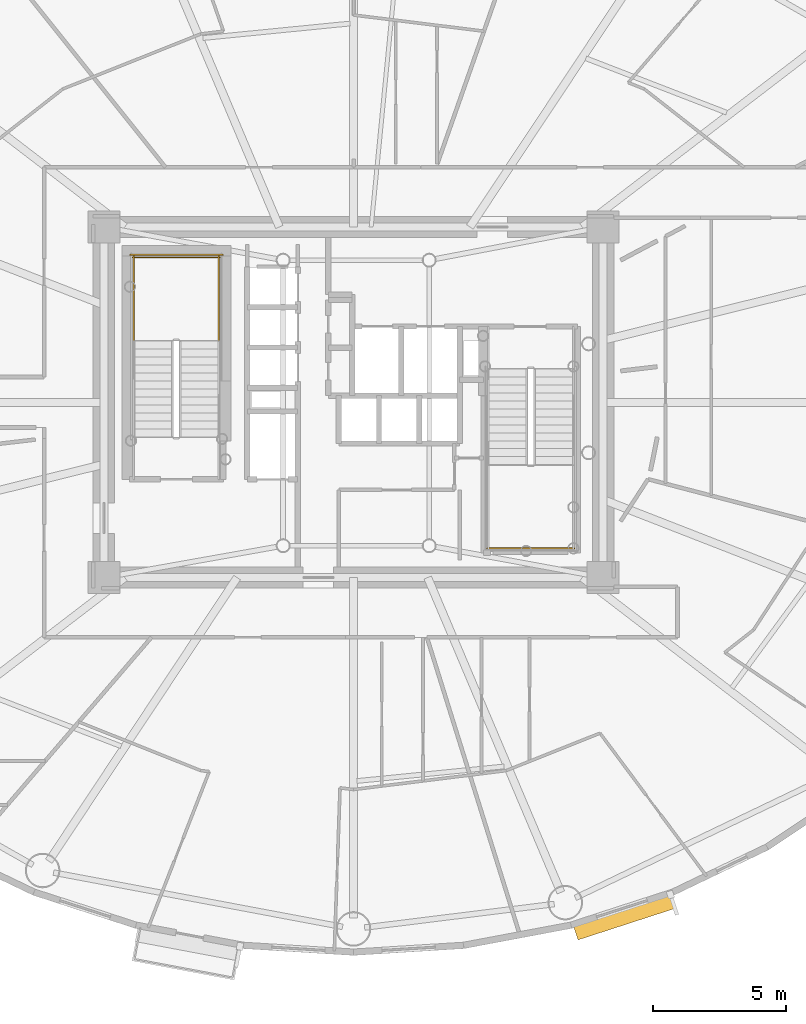
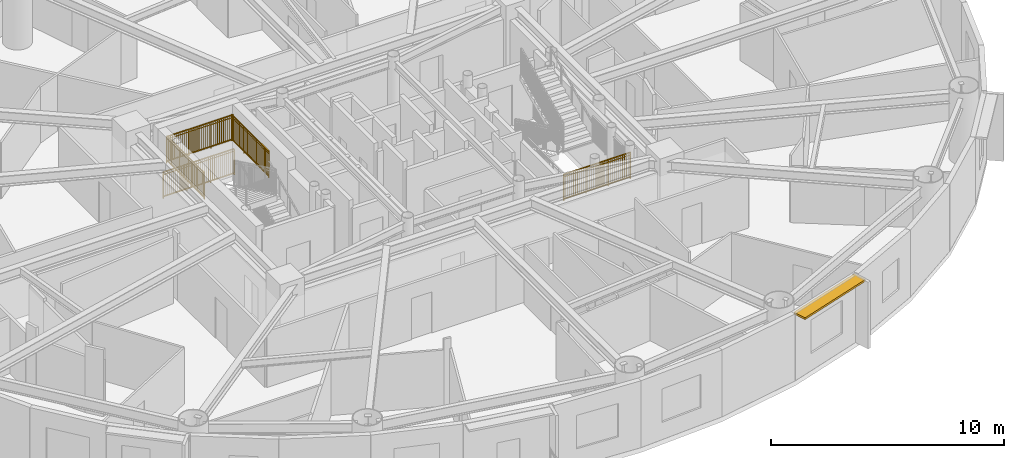
# One storey, part 15 of 17: 5 railings, 1 shading device.
"""IFC4 building model written with IfcOpenShell, lengths in metres."""

from ifc_helpers import new_model, si_unit, direction, frame, origin, origin_2d, place, context, subcontext, project, spatial, rectangle, extrude, source, transform, mapped, material, layer, layer_set, type_object, element, save


model = new_model("IFC4")

# Units and contexts
model_context = context("Model", 3, precision=1e-05, world=origin(), true_north=direction((0.0, 1.0)))
body_context = subcontext(model_context, "Body", "Model", "MODEL_VIEW")
ifc_project = project(units=[si_unit("LENGTHUNIT", "METRE"), si_unit("AREAUNIT", "SQUARE_METRE"), si_unit("VOLUMEUNIT", "CUBIC_METRE"), si_unit("PLANEANGLEUNIT", "RADIAN"), si_unit("MASSUNIT", "GRAM", prefix="KILO")], contexts=[model_context])

# Site, building, storey
site_placement = place(None, origin())
site = spatial("IfcSite", under=ifc_project, at=site_placement, CompositionType="ELEMENT")
building_placement = place(site_placement, origin())
building = spatial("IfcBuilding", under=site, at=building_placement, Name="Linh Dai School and Residence Tower", CompositionType="ELEMENT")
storey_placement = place(building_placement, frame((0.0, 0.0, 182.39990234375)))
storey = spatial("IfcBuildingStorey", under=building, at=storey_placement, Name="L44", CompositionType="ELEMENT", Elevation=182.39990234375)

# Shading device
ifc_material_1 = material(Name="Terracotta Ceramic Sunshade", Category="masonry")
ifc_layer = layer(ifc_material_1, 0.10009765625)
ifc_layer_set = layer_set([ifc_layer], Name="Terracotta Ceramic Sunshade")
shading_device_type = type_object("IfcShadingDeviceType", Name="SHD-TC-650", PredefinedType="USERDEFINED", material=ifc_layer_set)
shared_shape_1 = source(origin(), body_context, "Body", "SweptSolid", [
    extrude(rectangle(XDim=3.876220703125, YDim=0.64990234375, at=origin_2d()), origin(), (0.0, 0.0, 1.0), 0.10009765625),
])
shading_device_placement = place(storey_placement, frame((46.197265625, 7.662353515625, 3.380126953125), z_axis=(0.0, 0.0, 1.0), x_axis=(-0.951212761419, -0.308535707031, 0.0)))
element("IfcShadingDevice", 1, at=shading_device_placement, inside=storey, type_object=shading_device_type, Name="L44 Terracotta Horizontal Sunshade Band 33", ObjectType="SUNSHADE", PredefinedType="USERDEFINED", context=body_context, shape_type="MappedRepresentation", body=[
    mapped(shared_shape_1, transform((0.0, 0.0, 0.0), x_axis=(1.0, 0.0, 0.0), y_axis=(0.0, 1.0, 0.0), z_axis=(0.0, 0.0, 1.0), scale=1.0)),
])

# Railings
ifc_material_2 = material(Name="Structural Steel S355JR", Category="steel")
railing_type = type_object("IfcRailingType", Name="RL-ST-GUARD-1400", PredefinedType="GUARDRAIL", material=ifc_material_2)
shared_shape_2 = source(origin(), body_context, "Body", "SweptSolid", [
    extrude(rectangle(XDim=0.048095703125, YDim=0.048095703125, at=origin_2d()), frame((0.0, 0.0, 1.3759765625), z_axis=(-1.0, 0.0, 0.0), x_axis=(0.0, -1.0, 0.0)), (0.0, 0.0, 1.0), 3.300048828125),
    extrude(rectangle(XDim=0.048095703125, YDim=0.048095703125, at=origin_2d()), frame((0.0, 0.0, 0.10009765625), z_axis=(-1.0, 0.0, 0.0), x_axis=(0.0, -1.0, 0.0)), (0.0, 0.0, 1.0), 3.300048828125),
    extrude(rectangle(XDim=0.030029296875, YDim=0.030029296875, at=origin_2d()), frame((0.0, 0.0, 1.239990234375), z_axis=(-1.0, 0.0, 0.0), x_axis=(0.0, -1.0, 0.0)), (0.0, 0.0, 1.0), 3.300048828125),
    extrude(rectangle(XDim=0.02001953125, YDim=0.02001953125, at=origin_2d()), frame((-0.09716796875, 0.0, 0.10009765625)), (0.0, 0.0, 1.0), 1.251708984375),
    extrude(rectangle(XDim=0.02001953125, YDim=0.02001953125, at=origin_2d()), frame((-0.194091796875, 0.0, 0.10009765625)), (0.0, 0.0, 1.0), 1.251708984375),
    extrude(rectangle(XDim=0.02001953125, YDim=0.02001953125, at=origin_2d()), frame((-0.291259765625, 0.0, 0.10009765625)), (0.0, 0.0, 1.0), 1.251708984375),
    extrude(rectangle(XDim=0.02001953125, YDim=0.02001953125, at=origin_2d()), frame((-0.38818359375, 0.0, 0.10009765625)), (0.0, 0.0, 1.0), 1.251708984375),
    extrude(rectangle(XDim=0.02001953125, YDim=0.02001953125, at=origin_2d()), frame((-0.4853515625, 0.0, 0.10009765625)), (0.0, 0.0, 1.0), 1.251708984375),
    extrude(rectangle(XDim=0.02001953125, YDim=0.02001953125, at=origin_2d()), frame((-0.582275390625, 0.0, 0.10009765625)), (0.0, 0.0, 1.0), 1.251708984375),
    extrude(rectangle(XDim=0.02001953125, YDim=0.02001953125, at=origin_2d()), frame((-0.679443359375, 0.0, 0.10009765625)), (0.0, 0.0, 1.0), 1.251708984375),
    extrude(rectangle(XDim=0.02001953125, YDim=0.02001953125, at=origin_2d()), frame((-0.7763671875, 0.0, 0.10009765625)), (0.0, 0.0, 1.0), 1.251708984375),
    extrude(rectangle(XDim=0.02001953125, YDim=0.02001953125, at=origin_2d()), frame((-0.87353515625, 0.0, 0.10009765625)), (0.0, 0.0, 1.0), 1.251708984375),
    extrude(rectangle(XDim=0.02001953125, YDim=0.02001953125, at=origin_2d()), frame((-0.970703125, 0.0, 0.10009765625)), (0.0, 0.0, 1.0), 1.251708984375),
    extrude(rectangle(XDim=0.02001953125, YDim=0.02001953125, at=origin_2d()), frame((-1.164794921875, 0.0, 0.10009765625)), (0.0, 0.0, 1.0), 1.251708984375),
    extrude(rectangle(XDim=0.02001953125, YDim=0.02001953125, at=origin_2d()), frame((-1.26171875, 0.0, 0.10009765625)), (0.0, 0.0, 1.0), 1.251708984375),
    extrude(rectangle(XDim=0.02001953125, YDim=0.02001953125, at=origin_2d()), frame((-1.35888671875, 0.0, 0.10009765625)), (0.0, 0.0, 1.0), 1.251708984375),
    extrude(rectangle(XDim=0.02001953125, YDim=0.02001953125, at=origin_2d()), frame((-1.455810546875, 0.0, 0.10009765625)), (0.0, 0.0, 1.0), 1.251708984375),
    extrude(rectangle(XDim=0.02001953125, YDim=0.02001953125, at=origin_2d()), frame((-1.552978515625, 0.0, 0.10009765625)), (0.0, 0.0, 1.0), 1.251708984375),
    extrude(rectangle(XDim=0.02001953125, YDim=0.02001953125, at=origin_2d()), frame((-1.64990234375, 0.0, 0.10009765625)), (0.0, 0.0, 1.0), 1.251708984375),
    extrude(rectangle(XDim=0.02001953125, YDim=0.02001953125, at=origin_2d()), frame((-1.7470703125, 0.0, 0.10009765625)), (0.0, 0.0, 1.0), 1.251708984375),
    extrude(rectangle(XDim=0.02001953125, YDim=0.02001953125, at=origin_2d()), frame((-1.84423828125, 0.0, 0.10009765625)), (0.0, 0.0, 1.0), 1.251708984375),
    extrude(rectangle(XDim=0.02001953125, YDim=0.02001953125, at=origin_2d()), frame((-1.941162109375, 0.0, 0.10009765625)), (0.0, 0.0, 1.0), 1.251708984375),
    extrude(rectangle(XDim=0.02001953125, YDim=0.02001953125, at=origin_2d()), frame((-2.038330078125, 0.0, 0.10009765625)), (0.0, 0.0, 1.0), 1.251708984375),
    extrude(rectangle(XDim=0.02001953125, YDim=0.02001953125, at=origin_2d()), frame((-2.13525390625, 0.0, 0.10009765625)), (0.0, 0.0, 1.0), 1.251708984375),
    extrude(rectangle(XDim=0.02001953125, YDim=0.02001953125, at=origin_2d()), frame((-2.329345703125, 0.0, 0.10009765625)), (0.0, 0.0, 1.0), 1.251708984375),
    extrude(rectangle(XDim=0.02001953125, YDim=0.02001953125, at=origin_2d()), frame((-2.426513671875, 0.0, 0.10009765625)), (0.0, 0.0, 1.0), 1.251708984375),
    extrude(rectangle(XDim=0.02001953125, YDim=0.02001953125, at=origin_2d()), frame((-2.523681640625, 0.0, 0.10009765625)), (0.0, 0.0, 1.0), 1.251708984375),
    extrude(rectangle(XDim=0.02001953125, YDim=0.02001953125, at=origin_2d()), frame((-2.62060546875, 0.0, 0.10009765625)), (0.0, 0.0, 1.0), 1.251708984375),
    extrude(rectangle(XDim=0.02001953125, YDim=0.02001953125, at=origin_2d()), frame((-2.7177734375, 0.0, 0.10009765625)), (0.0, 0.0, 1.0), 1.251708984375),
    extrude(rectangle(XDim=0.02001953125, YDim=0.02001953125, at=origin_2d()), frame((-2.814697265625, 0.0, 0.10009765625)), (0.0, 0.0, 1.0), 1.251708984375),
    extrude(rectangle(XDim=0.02001953125, YDim=0.02001953125, at=origin_2d()), frame((-2.911865234375, 0.0, 0.10009765625)), (0.0, 0.0, 1.0), 1.251708984375),
    extrude(rectangle(XDim=0.02001953125, YDim=0.02001953125, at=origin_2d()), frame((-3.0087890625, 0.0, 0.10009765625)), (0.0, 0.0, 1.0), 1.251708984375),
    extrude(rectangle(XDim=0.02001953125, YDim=0.02001953125, at=origin_2d()), frame((-3.10595703125, 0.0, 0.10009765625)), (0.0, 0.0, 1.0), 1.251708984375),
    extrude(rectangle(XDim=0.02001953125, YDim=0.02001953125, at=origin_2d()), frame((-3.202880859375, 0.0, 0.10009765625)), (0.0, 0.0, 1.0), 1.251708984375),
    extrude(rectangle(XDim=0.0419921875, YDim=0.0419921875, at=origin_2d()), origin(), (0.0, 0.0, 1.0), 1.3759765625),
    extrude(rectangle(XDim=0.0419921875, YDim=0.0419921875, at=origin_2d()), frame((-1.10009765625, 0.0, 0.0)), (0.0, 0.0, 1.0), 1.3759765625),
    extrude(rectangle(XDim=0.0419921875, YDim=0.0419921875, at=origin_2d()), frame((-2.199951171875, 0.0, 0.0)), (0.0, 0.0, 1.0), 1.3759765625),
    extrude(rectangle(XDim=0.0419921875, YDim=0.0419921875, at=origin_2d()), frame((-3.300048828125, 0.0, 0.0)), (0.0, 0.0, 1.0), 1.3759765625),
])
railing_1_placement = place(storey_placement, frame((30.97998046875, 32.449951171875, 1.875)))
element("IfcRailing", 2, at=railing_1_placement, inside=storey, type_object=railing_type, Name="L44 ST1 stair guard 5", PredefinedType="GUARDRAIL", context=body_context, shape_type="MappedRepresentation", body=[
    mapped(shared_shape_2, transform((0.0, 0.0, 0.0), x_axis=(1.0, 0.0, 0.0), y_axis=(0.0, 1.0, 0.0), z_axis=(0.0, 0.0, 1.0), scale=1.0)),
])
shared_shape_3 = source(origin(), body_context, "Body", "SweptSolid", [
    extrude(rectangle(XDim=0.048095703125, YDim=0.048095703125, at=origin_2d()), frame((0.0, 0.0, 1.3759765625), z_axis=(-1.0, 0.0, 0.0), x_axis=(0.0, -1.0, 0.0)), (0.0, 0.0, 1.0), 3.5),
    extrude(rectangle(XDim=0.048095703125, YDim=0.048095703125, at=origin_2d()), frame((0.0, 0.0, 0.10009765625), z_axis=(-1.0, 0.0, 0.0), x_axis=(0.0, -1.0, 0.0)), (0.0, 0.0, 1.0), 3.5),
    extrude(rectangle(XDim=0.030029296875, YDim=0.030029296875, at=origin_2d()), frame((0.0, 0.0, 1.239990234375), z_axis=(-1.0, 0.0, 0.0), x_axis=(0.0, -1.0, 0.0)), (0.0, 0.0, 1.0), 3.5),
    extrude(rectangle(XDim=0.02001953125, YDim=0.02001953125, at=origin_2d()), frame((-0.09716796875, 0.0, 0.10009765625)), (0.0, 0.0, 1.0), 1.251708984375),
    extrude(rectangle(XDim=0.02001953125, YDim=0.02001953125, at=origin_2d()), frame((-0.1943359375, 0.0, 0.10009765625)), (0.0, 0.0, 1.0), 1.251708984375),
    extrude(rectangle(XDim=0.02001953125, YDim=0.02001953125, at=origin_2d()), frame((-0.291748046875, 0.0, 0.10009765625)), (0.0, 0.0, 1.0), 1.251708984375),
    extrude(rectangle(XDim=0.02001953125, YDim=0.02001953125, at=origin_2d()), frame((-0.388916015625, 0.0, 0.10009765625)), (0.0, 0.0, 1.0), 1.251708984375),
    extrude(rectangle(XDim=0.02001953125, YDim=0.02001953125, at=origin_2d()), frame((-0.486083984375, 0.0, 0.10009765625)), (0.0, 0.0, 1.0), 1.251708984375),
    extrude(rectangle(XDim=0.02001953125, YDim=0.02001953125, at=origin_2d()), frame((-0.583251953125, 0.0, 0.10009765625)), (0.0, 0.0, 1.0), 1.251708984375),
    extrude(rectangle(XDim=0.02001953125, YDim=0.02001953125, at=origin_2d()), frame((-0.6806640625, 0.0, 0.10009765625)), (0.0, 0.0, 1.0), 1.251708984375),
    extrude(rectangle(XDim=0.02001953125, YDim=0.02001953125, at=origin_2d()), frame((-0.77783203125, 0.0, 0.10009765625)), (0.0, 0.0, 1.0), 1.251708984375),
    extrude(rectangle(XDim=0.02001953125, YDim=0.02001953125, at=origin_2d()), frame((-0.875, 0.0, 0.10009765625)), (0.0, 0.0, 1.0), 1.251708984375),
    extrude(rectangle(XDim=0.02001953125, YDim=0.02001953125, at=origin_2d()), frame((-0.97216796875, 0.0, 0.10009765625)), (0.0, 0.0, 1.0), 1.251708984375),
    extrude(rectangle(XDim=0.02001953125, YDim=0.02001953125, at=origin_2d()), frame((-1.0693359375, 0.0, 0.10009765625)), (0.0, 0.0, 1.0), 1.251708984375),
    extrude(rectangle(XDim=0.02001953125, YDim=0.02001953125, at=origin_2d()), frame((-1.263916015625, 0.0, 0.10009765625)), (0.0, 0.0, 1.0), 1.251708984375),
    extrude(rectangle(XDim=0.02001953125, YDim=0.02001953125, at=origin_2d()), frame((-1.361083984375, 0.0, 0.10009765625)), (0.0, 0.0, 1.0), 1.251708984375),
    extrude(rectangle(XDim=0.02001953125, YDim=0.02001953125, at=origin_2d()), frame((-1.458251953125, 0.0, 0.10009765625)), (0.0, 0.0, 1.0), 1.251708984375),
    extrude(rectangle(XDim=0.02001953125, YDim=0.02001953125, at=origin_2d()), frame((-1.5556640625, 0.0, 0.10009765625)), (0.0, 0.0, 1.0), 1.251708984375),
    extrude(rectangle(XDim=0.02001953125, YDim=0.02001953125, at=origin_2d()), frame((-1.65283203125, 0.0, 0.10009765625)), (0.0, 0.0, 1.0), 1.251708984375),
    extrude(rectangle(XDim=0.02001953125, YDim=0.02001953125, at=origin_2d()), frame((-1.75, 0.0, 0.10009765625)), (0.0, 0.0, 1.0), 1.251708984375),
    extrude(rectangle(XDim=0.02001953125, YDim=0.02001953125, at=origin_2d()), frame((-1.84716796875, 0.0, 0.10009765625)), (0.0, 0.0, 1.0), 1.251708984375),
    extrude(rectangle(XDim=0.02001953125, YDim=0.02001953125, at=origin_2d()), frame((-1.9443359375, 0.0, 0.10009765625)), (0.0, 0.0, 1.0), 1.251708984375),
    extrude(rectangle(XDim=0.02001953125, YDim=0.02001953125, at=origin_2d()), frame((-2.041748046875, 0.0, 0.10009765625)), (0.0, 0.0, 1.0), 1.251708984375),
    extrude(rectangle(XDim=0.02001953125, YDim=0.02001953125, at=origin_2d()), frame((-2.138916015625, 0.0, 0.10009765625)), (0.0, 0.0, 1.0), 1.251708984375),
    extrude(rectangle(XDim=0.02001953125, YDim=0.02001953125, at=origin_2d()), frame((-2.236083984375, 0.0, 0.10009765625)), (0.0, 0.0, 1.0), 1.251708984375),
    extrude(rectangle(XDim=0.02001953125, YDim=0.02001953125, at=origin_2d()), frame((-2.4306640625, 0.0, 0.10009765625)), (0.0, 0.0, 1.0), 1.251708984375),
    extrude(rectangle(XDim=0.02001953125, YDim=0.02001953125, at=origin_2d()), frame((-2.52783203125, 0.0, 0.10009765625)), (0.0, 0.0, 1.0), 1.251708984375),
    extrude(rectangle(XDim=0.02001953125, YDim=0.02001953125, at=origin_2d()), frame((-2.625, 0.0, 0.10009765625)), (0.0, 0.0, 1.0), 1.251708984375),
    extrude(rectangle(XDim=0.02001953125, YDim=0.02001953125, at=origin_2d()), frame((-2.72216796875, 0.0, 0.10009765625)), (0.0, 0.0, 1.0), 1.251708984375),
    extrude(rectangle(XDim=0.02001953125, YDim=0.02001953125, at=origin_2d()), frame((-2.8193359375, 0.0, 0.10009765625)), (0.0, 0.0, 1.0), 1.251708984375),
    extrude(rectangle(XDim=0.02001953125, YDim=0.02001953125, at=origin_2d()), frame((-2.916748046875, 0.0, 0.10009765625)), (0.0, 0.0, 1.0), 1.251708984375),
    extrude(rectangle(XDim=0.02001953125, YDim=0.02001953125, at=origin_2d()), frame((-3.013916015625, 0.0, 0.10009765625)), (0.0, 0.0, 1.0), 1.251708984375),
    extrude(rectangle(XDim=0.02001953125, YDim=0.02001953125, at=origin_2d()), frame((-3.111083984375, 0.0, 0.10009765625)), (0.0, 0.0, 1.0), 1.251708984375),
    extrude(rectangle(XDim=0.02001953125, YDim=0.02001953125, at=origin_2d()), frame((-3.208251953125, 0.0, 0.10009765625)), (0.0, 0.0, 1.0), 1.251708984375),
    extrude(rectangle(XDim=0.02001953125, YDim=0.02001953125, at=origin_2d()), frame((-3.3056640625, 0.0, 0.10009765625)), (0.0, 0.0, 1.0), 1.251708984375),
    extrude(rectangle(XDim=0.02001953125, YDim=0.02001953125, at=origin_2d()), frame((-3.40283203125, 0.0, 0.10009765625)), (0.0, 0.0, 1.0), 1.251708984375),
    extrude(rectangle(XDim=0.0419921875, YDim=0.0419921875, at=origin_2d()), origin(), (0.0, 0.0, 1.0), 1.3759765625),
    extrude(rectangle(XDim=0.0419921875, YDim=0.0419921875, at=origin_2d()), frame((-1.166748046875, 0.0, 0.0)), (0.0, 0.0, 1.0), 1.3759765625),
    extrude(rectangle(XDim=0.0419921875, YDim=0.0419921875, at=origin_2d()), frame((-2.333251953125, 0.0, 0.0)), (0.0, 0.0, 1.0), 1.3759765625),
    extrude(rectangle(XDim=0.0419921875, YDim=0.0419921875, at=origin_2d()), frame((-3.5, 0.0, 0.0)), (0.0, 0.0, 1.0), 1.3759765625),
])
railing_2_placement = place(storey_placement, frame((31.080078125, 32.550048828125, 0.0)))
element("IfcRailing", 3, at=railing_2_placement, inside=storey, type_object=railing_type, Name="L44 ST1 stair guard 12", PredefinedType="GUARDRAIL", context=body_context, shape_type="MappedRepresentation", body=[
    mapped(shared_shape_3, transform((0.0, 0.0, 0.0), x_axis=(1.0, 0.0, 0.0), y_axis=(0.0, 1.0, 0.0), z_axis=(0.0, 0.0, 1.0), scale=1.0)),
])
shared_shape_4 = source(origin(), body_context, "Body", "SweptSolid", [
    extrude(rectangle(XDim=0.048095703125, YDim=0.048095703125, at=origin_2d()), frame((0.0, 0.0, 1.3759765625), z_axis=(0.0, 1.0, 0.0), x_axis=(-1.0, 0.0, 0.0)), (0.0, 0.0, 1.0), 3.199951171875),
    extrude(rectangle(XDim=0.048095703125, YDim=0.048095703125, at=origin_2d()), frame((0.0, 0.0, 0.10009765625), z_axis=(0.0, 1.0, 0.0), x_axis=(-1.0, 0.0, 0.0)), (0.0, 0.0, 1.0), 3.199951171875),
    extrude(rectangle(XDim=0.030029296875, YDim=0.030029296875, at=origin_2d()), frame((0.0, 0.0, 1.239990234375), z_axis=(0.0, 1.0, 0.0), x_axis=(-1.0, 0.0, 0.0)), (0.0, 0.0, 1.0), 3.199951171875),
    extrude(rectangle(XDim=0.02001953125, YDim=0.02001953125, at=origin_2d()), frame((0.0, 0.096923828125, 0.10009765625)), (0.0, 0.0, 1.0), 1.251708984375),
    extrude(rectangle(XDim=0.02001953125, YDim=0.02001953125, at=origin_2d()), frame((0.0, 0.19384765625, 0.10009765625)), (0.0, 0.0, 1.0), 1.251708984375),
    extrude(rectangle(XDim=0.02001953125, YDim=0.02001953125, at=origin_2d()), frame((0.0, 0.291015625, 0.10009765625)), (0.0, 0.0, 1.0), 1.251708984375),
    extrude(rectangle(XDim=0.02001953125, YDim=0.02001953125, at=origin_2d()), frame((0.0, 0.387939453125, 0.10009765625)), (0.0, 0.0, 1.0), 1.251708984375),
    extrude(rectangle(XDim=0.02001953125, YDim=0.02001953125, at=origin_2d()), frame((0.0, 0.48486328125, 0.10009765625)), (0.0, 0.0, 1.0), 1.251708984375),
    extrude(rectangle(XDim=0.02001953125, YDim=0.02001953125, at=origin_2d()), frame((0.0, 0.581787109375, 0.10009765625)), (0.0, 0.0, 1.0), 1.251708984375),
    extrude(rectangle(XDim=0.02001953125, YDim=0.02001953125, at=origin_2d()), frame((0.0, 0.6787109375, 0.10009765625)), (0.0, 0.0, 1.0), 1.251708984375),
    extrude(rectangle(XDim=0.02001953125, YDim=0.02001953125, at=origin_2d()), frame((0.0, 0.775634765625, 0.10009765625)), (0.0, 0.0, 1.0), 1.251708984375),
    extrude(rectangle(XDim=0.02001953125, YDim=0.02001953125, at=origin_2d()), frame((0.0, 0.872802734375, 0.10009765625)), (0.0, 0.0, 1.0), 1.251708984375),
    extrude(rectangle(XDim=0.02001953125, YDim=0.02001953125, at=origin_2d()), frame((0.0, 0.9697265625, 0.10009765625)), (0.0, 0.0, 1.0), 1.251708984375),
    extrude(rectangle(XDim=0.02001953125, YDim=0.02001953125, at=origin_2d()), frame((0.0, 1.16357421875, 0.10009765625)), (0.0, 0.0, 1.0), 1.251708984375),
    extrude(rectangle(XDim=0.02001953125, YDim=0.02001953125, at=origin_2d()), frame((0.0, 1.260498046875, 0.10009765625)), (0.0, 0.0, 1.0), 1.251708984375),
    extrude(rectangle(XDim=0.02001953125, YDim=0.02001953125, at=origin_2d()), frame((0.0, 1.357666015625, 0.10009765625)), (0.0, 0.0, 1.0), 1.251708984375),
    extrude(rectangle(XDim=0.02001953125, YDim=0.02001953125, at=origin_2d()), frame((0.0, 1.45458984375, 0.10009765625)), (0.0, 0.0, 1.0), 1.251708984375),
    extrude(rectangle(XDim=0.02001953125, YDim=0.02001953125, at=origin_2d()), frame((0.0, 1.551513671875, 0.10009765625)), (0.0, 0.0, 1.0), 1.251708984375),
    extrude(rectangle(XDim=0.02001953125, YDim=0.02001953125, at=origin_2d()), frame((0.0, 1.6484375, 0.10009765625)), (0.0, 0.0, 1.0), 1.251708984375),
    extrude(rectangle(XDim=0.02001953125, YDim=0.02001953125, at=origin_2d()), frame((0.0, 1.745361328125, 0.10009765625)), (0.0, 0.0, 1.0), 1.251708984375),
    extrude(rectangle(XDim=0.02001953125, YDim=0.02001953125, at=origin_2d()), frame((0.0, 1.84228515625, 0.10009765625)), (0.0, 0.0, 1.0), 1.251708984375),
    extrude(rectangle(XDim=0.02001953125, YDim=0.02001953125, at=origin_2d()), frame((0.0, 1.939453125, 0.10009765625)), (0.0, 0.0, 1.0), 1.251708984375),
    extrude(rectangle(XDim=0.02001953125, YDim=0.02001953125, at=origin_2d()), frame((0.0, 2.036376953125, 0.10009765625)), (0.0, 0.0, 1.0), 1.251708984375),
    extrude(rectangle(XDim=0.02001953125, YDim=0.02001953125, at=origin_2d()), frame((0.0, 2.230224609375, 0.10009765625)), (0.0, 0.0, 1.0), 1.251708984375),
    extrude(rectangle(XDim=0.02001953125, YDim=0.02001953125, at=origin_2d()), frame((0.0, 2.3271484375, 0.10009765625)), (0.0, 0.0, 1.0), 1.251708984375),
    extrude(rectangle(XDim=0.02001953125, YDim=0.02001953125, at=origin_2d()), frame((0.0, 2.42431640625, 0.10009765625)), (0.0, 0.0, 1.0), 1.251708984375),
    extrude(rectangle(XDim=0.02001953125, YDim=0.02001953125, at=origin_2d()), frame((0.0, 2.521240234375, 0.10009765625)), (0.0, 0.0, 1.0), 1.251708984375),
    extrude(rectangle(XDim=0.02001953125, YDim=0.02001953125, at=origin_2d()), frame((0.0, 2.6181640625, 0.10009765625)), (0.0, 0.0, 1.0), 1.251708984375),
    extrude(rectangle(XDim=0.02001953125, YDim=0.02001953125, at=origin_2d()), frame((0.0, 2.715087890625, 0.10009765625)), (0.0, 0.0, 1.0), 1.251708984375),
    extrude(rectangle(XDim=0.02001953125, YDim=0.02001953125, at=origin_2d()), frame((0.0, 2.81201171875, 0.10009765625)), (0.0, 0.0, 1.0), 1.251708984375),
    extrude(rectangle(XDim=0.02001953125, YDim=0.02001953125, at=origin_2d()), frame((0.0, 2.908935546875, 0.10009765625)), (0.0, 0.0, 1.0), 1.251708984375),
    extrude(rectangle(XDim=0.02001953125, YDim=0.02001953125, at=origin_2d()), frame((0.0, 3.006103515625, 0.10009765625)), (0.0, 0.0, 1.0), 1.251708984375),
    extrude(rectangle(XDim=0.02001953125, YDim=0.02001953125, at=origin_2d()), frame((0.0, 3.10302734375, 0.10009765625)), (0.0, 0.0, 1.0), 1.251708984375),
    extrude(rectangle(XDim=0.0419921875, YDim=0.0419921875, at=origin_2d()), origin(), (0.0, 0.0, 1.0), 1.3759765625),
    extrude(rectangle(XDim=0.0419921875, YDim=0.0419921875, at=origin_2d()), frame((0.0, 1.066650390625, 0.0)), (0.0, 0.0, 1.0), 1.3759765625),
    extrude(rectangle(XDim=0.0419921875, YDim=0.0419921875, at=origin_2d()), frame((0.0, 2.13330078125, 0.0)), (0.0, 0.0, 1.0), 1.3759765625),
    extrude(rectangle(XDim=0.0419921875, YDim=0.0419921875, at=origin_2d()), frame((0.0, 3.199951171875, 0.0)), (0.0, 0.0, 1.0), 1.3759765625),
])
for number, where, name in (
    (4, (30.929931640625, 29.300048828125, 1.875), "L44 ST1 stair guard 3"),
    (5, (27.72998046875, 29.300048828125, 1.875), "L44 ST1 stair guard 4"),
):
    element("IfcRailing", number, at=place(storey_placement, frame(where)), inside=storey, type_object=railing_type, Name=name, PredefinedType="GUARDRAIL", context=body_context, shape_type="MappedRepresentation", body=[
        mapped(shared_shape_4, transform((0.0, 0.0, 0.0), x_axis=(1.0, 0.0, 0.0), y_axis=(0.0, 1.0, 0.0), z_axis=(0.0, 0.0, 1.0), scale=1.0)),
    ])
shared_shape_5 = source(origin(), body_context, "Body", "SweptSolid", [
    extrude(rectangle(XDim=0.048095703125, YDim=0.048095703125, at=origin_2d()), frame((0.0, 0.0, 1.3759765625), z_axis=(1.0, 0.0, 0.0), x_axis=(0.0, 1.0, 0.0)), (0.0, 0.0, 1.0), 3.300048828125),
    extrude(rectangle(XDim=0.048095703125, YDim=0.048095703125, at=origin_2d()), frame((0.0, 0.0, 0.10009765625), z_axis=(1.0, 0.0, 0.0), x_axis=(0.0, 1.0, 0.0)), (0.0, 0.0, 1.0), 3.300048828125),
    extrude(rectangle(XDim=0.030029296875, YDim=0.030029296875, at=origin_2d()), frame((0.0, 0.0, 1.239990234375), z_axis=(1.0, 0.0, 0.0), x_axis=(0.0, 1.0, 0.0)), (0.0, 0.0, 1.0), 3.300048828125),
    extrude(rectangle(XDim=0.02001953125, YDim=0.02001953125, at=origin_2d()), frame((0.09716796875, 0.0, 0.10009765625)), (0.0, 0.0, 1.0), 1.251708984375),
    extrude(rectangle(XDim=0.02001953125, YDim=0.02001953125, at=origin_2d()), frame((0.194091796875, 0.0, 0.10009765625)), (0.0, 0.0, 1.0), 1.251708984375),
    extrude(rectangle(XDim=0.02001953125, YDim=0.02001953125, at=origin_2d()), frame((0.291259765625, 0.0, 0.10009765625)), (0.0, 0.0, 1.0), 1.251708984375),
    extrude(rectangle(XDim=0.02001953125, YDim=0.02001953125, at=origin_2d()), frame((0.38818359375, 0.0, 0.10009765625)), (0.0, 0.0, 1.0), 1.251708984375),
    extrude(rectangle(XDim=0.02001953125, YDim=0.02001953125, at=origin_2d()), frame((0.4853515625, 0.0, 0.10009765625)), (0.0, 0.0, 1.0), 1.251708984375),
    extrude(rectangle(XDim=0.02001953125, YDim=0.02001953125, at=origin_2d()), frame((0.582275390625, 0.0, 0.10009765625)), (0.0, 0.0, 1.0), 1.251708984375),
    extrude(rectangle(XDim=0.02001953125, YDim=0.02001953125, at=origin_2d()), frame((0.679443359375, 0.0, 0.10009765625)), (0.0, 0.0, 1.0), 1.251708984375),
    extrude(rectangle(XDim=0.02001953125, YDim=0.02001953125, at=origin_2d()), frame((0.7763671875, 0.0, 0.10009765625)), (0.0, 0.0, 1.0), 1.251708984375),
    extrude(rectangle(XDim=0.02001953125, YDim=0.02001953125, at=origin_2d()), frame((0.87353515625, 0.0, 0.10009765625)), (0.0, 0.0, 1.0), 1.251708984375),
    extrude(rectangle(XDim=0.02001953125, YDim=0.02001953125, at=origin_2d()), frame((0.970703125, 0.0, 0.10009765625)), (0.0, 0.0, 1.0), 1.251708984375),
    extrude(rectangle(XDim=0.02001953125, YDim=0.02001953125, at=origin_2d()), frame((1.164794921875, 0.0, 0.10009765625)), (0.0, 0.0, 1.0), 1.251708984375),
    extrude(rectangle(XDim=0.02001953125, YDim=0.02001953125, at=origin_2d()), frame((1.26171875, 0.0, 0.10009765625)), (0.0, 0.0, 1.0), 1.251708984375),
    extrude(rectangle(XDim=0.02001953125, YDim=0.02001953125, at=origin_2d()), frame((1.35888671875, 0.0, 0.10009765625)), (0.0, 0.0, 1.0), 1.251708984375),
    extrude(rectangle(XDim=0.02001953125, YDim=0.02001953125, at=origin_2d()), frame((1.455810546875, 0.0, 0.10009765625)), (0.0, 0.0, 1.0), 1.251708984375),
    extrude(rectangle(XDim=0.02001953125, YDim=0.02001953125, at=origin_2d()), frame((1.552978515625, 0.0, 0.10009765625)), (0.0, 0.0, 1.0), 1.251708984375),
    extrude(rectangle(XDim=0.02001953125, YDim=0.02001953125, at=origin_2d()), frame((1.64990234375, 0.0, 0.10009765625)), (0.0, 0.0, 1.0), 1.251708984375),
    extrude(rectangle(XDim=0.02001953125, YDim=0.02001953125, at=origin_2d()), frame((1.7470703125, 0.0, 0.10009765625)), (0.0, 0.0, 1.0), 1.251708984375),
    extrude(rectangle(XDim=0.02001953125, YDim=0.02001953125, at=origin_2d()), frame((1.84423828125, 0.0, 0.10009765625)), (0.0, 0.0, 1.0), 1.251708984375),
    extrude(rectangle(XDim=0.02001953125, YDim=0.02001953125, at=origin_2d()), frame((1.941162109375, 0.0, 0.10009765625)), (0.0, 0.0, 1.0), 1.251708984375),
    extrude(rectangle(XDim=0.02001953125, YDim=0.02001953125, at=origin_2d()), frame((2.038330078125, 0.0, 0.10009765625)), (0.0, 0.0, 1.0), 1.251708984375),
    extrude(rectangle(XDim=0.02001953125, YDim=0.02001953125, at=origin_2d()), frame((2.13525390625, 0.0, 0.10009765625)), (0.0, 0.0, 1.0), 1.251708984375),
    extrude(rectangle(XDim=0.02001953125, YDim=0.02001953125, at=origin_2d()), frame((2.329345703125, 0.0, 0.10009765625)), (0.0, 0.0, 1.0), 1.251708984375),
    extrude(rectangle(XDim=0.02001953125, YDim=0.02001953125, at=origin_2d()), frame((2.426513671875, 0.0, 0.10009765625)), (0.0, 0.0, 1.0), 1.251708984375),
    extrude(rectangle(XDim=0.02001953125, YDim=0.02001953125, at=origin_2d()), frame((2.523681640625, 0.0, 0.10009765625)), (0.0, 0.0, 1.0), 1.251708984375),
    extrude(rectangle(XDim=0.02001953125, YDim=0.02001953125, at=origin_2d()), frame((2.62060546875, 0.0, 0.10009765625)), (0.0, 0.0, 1.0), 1.251708984375),
    extrude(rectangle(XDim=0.02001953125, YDim=0.02001953125, at=origin_2d()), frame((2.7177734375, 0.0, 0.10009765625)), (0.0, 0.0, 1.0), 1.251708984375),
    extrude(rectangle(XDim=0.02001953125, YDim=0.02001953125, at=origin_2d()), frame((2.814697265625, 0.0, 0.10009765625)), (0.0, 0.0, 1.0), 1.251708984375),
    extrude(rectangle(XDim=0.02001953125, YDim=0.02001953125, at=origin_2d()), frame((2.911865234375, 0.0, 0.10009765625)), (0.0, 0.0, 1.0), 1.251708984375),
    extrude(rectangle(XDim=0.02001953125, YDim=0.02001953125, at=origin_2d()), frame((3.0087890625, 0.0, 0.10009765625)), (0.0, 0.0, 1.0), 1.251708984375),
    extrude(rectangle(XDim=0.02001953125, YDim=0.02001953125, at=origin_2d()), frame((3.10595703125, 0.0, 0.10009765625)), (0.0, 0.0, 1.0), 1.251708984375),
    extrude(rectangle(XDim=0.02001953125, YDim=0.02001953125, at=origin_2d()), frame((3.202880859375, 0.0, 0.10009765625)), (0.0, 0.0, 1.0), 1.251708984375),
    extrude(rectangle(XDim=0.0419921875, YDim=0.0419921875, at=origin_2d()), origin(), (0.0, 0.0, 1.0), 1.3759765625),
    extrude(rectangle(XDim=0.0419921875, YDim=0.0419921875, at=origin_2d()), frame((1.10009765625, 0.0, 0.0)), (0.0, 0.0, 1.0), 1.3759765625),
    extrude(rectangle(XDim=0.0419921875, YDim=0.0419921875, at=origin_2d()), frame((2.199951171875, 0.0, 0.0)), (0.0, 0.0, 1.0), 1.3759765625),
    extrude(rectangle(XDim=0.0419921875, YDim=0.0419921875, at=origin_2d()), frame((3.300048828125, 0.0, 0.0)), (0.0, 0.0, 1.0), 1.3759765625),
])
railing_3_placement = place(storey_placement, frame((41.02001953125, 21.5, 1.875)))
element("IfcRailing", 6, at=railing_3_placement, inside=storey, type_object=railing_type, Name="L44 ST2 stair guard 5", PredefinedType="GUARDRAIL", context=body_context, shape_type="MappedRepresentation", body=[
    mapped(shared_shape_5, transform((0.0, 0.0, 0.0), x_axis=(1.0, 0.0, 0.0), y_axis=(0.0, 1.0, 0.0), z_axis=(0.0, 0.0, 1.0), scale=1.0)),
])

save(model, "model.ifc")
